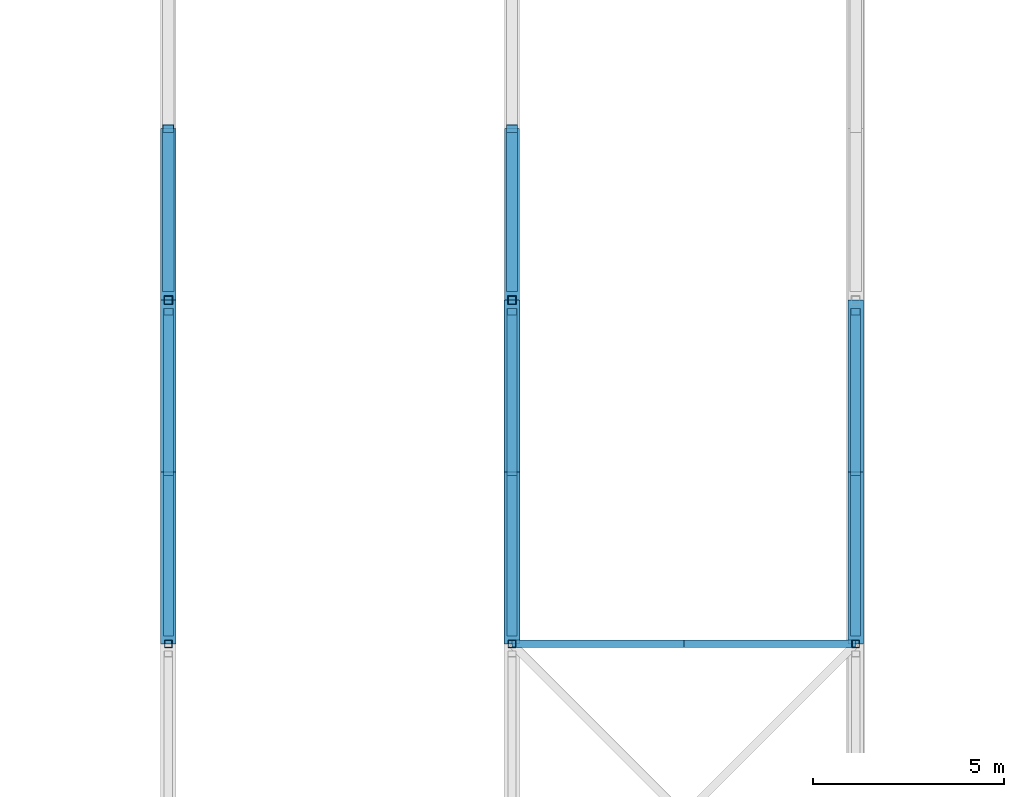
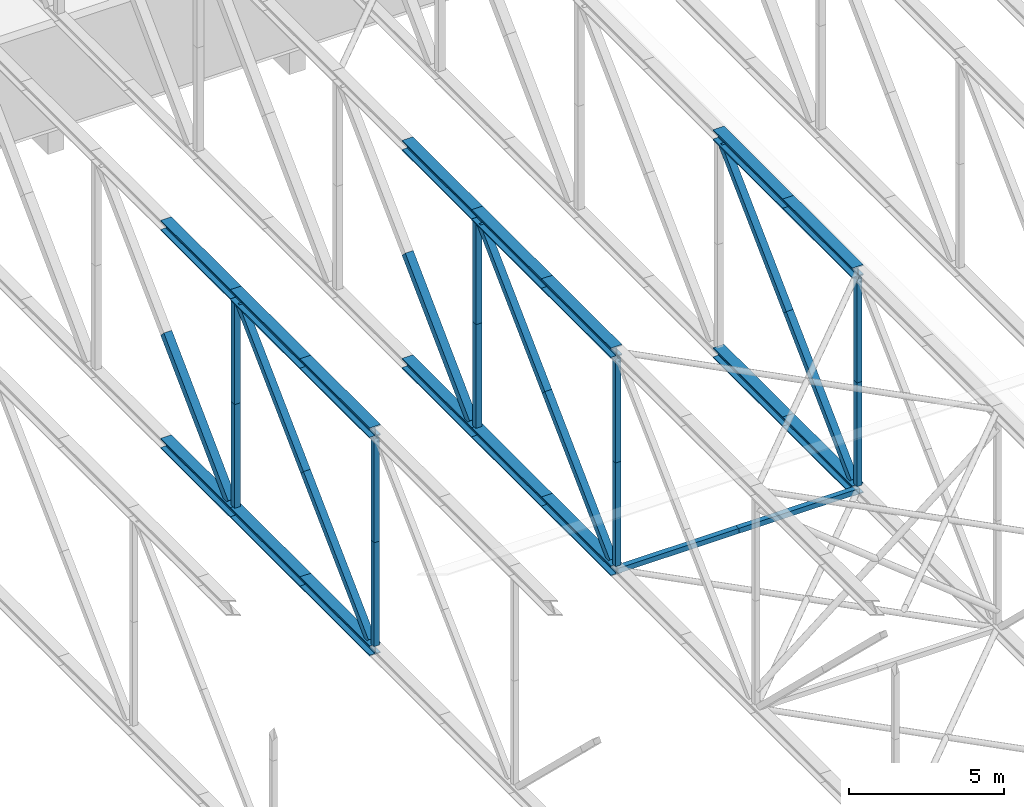
# One storey, part 71 of 646: 36 members.
"""IFC4 building model written with IfcOpenShell, lengths in metres."""

from ifc_helpers import new_model, si_unit, direction, frame, origin, origin_2d, place, context, subcontext, project, spatial, hollow_rectangle, i_section, extrude, material, material_profile, profile_set, type_object, element, save


model = new_model("IFC4")

# Units and contexts
model_context = context("Model", 3, precision=1e-05, world=origin(), true_north=direction((0.0, 1.0)))
body_context = subcontext(model_context, "Body", "Model", "MODEL_VIEW")
ifc_project = project(units=[si_unit("LENGTHUNIT", "METRE"), si_unit("AREAUNIT", "SQUARE_METRE"), si_unit("VOLUMEUNIT", "CUBIC_METRE"), si_unit("PLANEANGLEUNIT", "RADIAN"), si_unit("MASSUNIT", "GRAM", prefix="KILO")], contexts=[model_context])

# Site, building, storey
site_placement = place(None, origin())
site = spatial("IfcSite", under=ifc_project, at=site_placement, CompositionType="ELEMENT")
building_placement = place(site_placement, origin())
building = spatial("IfcBuilding", under=site, at=building_placement, Name="Silverbay Arena", CompositionType="ELEMENT")
storey_placement = place(building_placement, frame((0.0, 0.0, 33.5)))
storey = spatial("IfcBuildingStorey", under=building, at=storey_placement, Name="L05", CompositionType="ELEMENT", Elevation=33.5)

# Members
ifc_material_1 = material(Name="Steel S355", Category="steel")
ifc_material_profile_1 = material_profile(ifc_material_1, hollow_rectangle(XDim=0.199951171875, YDim=0.199951171875, WallThickness=0.008056640625, at=origin_2d()), Name="SHS 200x200x8")
ifc_profile_set_1 = profile_set([ifc_material_profile_1], Name="Steel S355")
member_type_1 = type_object("IfcMemberType", Name="Bracing strut SHS 200x200x8", PredefinedType="STRUT", material=ifc_profile_set_1)
for number, where, z_axis, x_axis, name in (
    (1, (126.0, 90.0, 4.203125), (1.0, 0.0, 0.0), (0.0, 1.0, 0.0), "ROOF BRACING strut 15-16 line 10a"),
    (2, (130.5, 90.0, 4.203125), (1.0, 0.0, 0.0), (0.0, 1.0, 0.0), "ROOF BRACING strut 15-16 line 10b"),
):
    element("IfcMember", number, at=place(storey_placement, frame(where, z_axis=z_axis, x_axis=x_axis)), inside=storey, type_object=member_type_1, Name=name, PredefinedType="STRUT", context=body_context, shape_type="SweptSolid", body=[
        extrude(hollow_rectangle(XDim=0.199951171875, YDim=0.199951171875, WallThickness=0.008056640625, at=origin_2d()), origin(), (0.0, 0.0, 1.0), 4.5),
    ])
ifc_material_2 = material(Name="Steel S355", Category="steel")
ifc_material_profile_2 = material_profile(ifc_material_2, i_section(OverallWidth=0.403076171875, OverallDepth=0.406494140625, WebThickness=0.026611328125, FlangeThickness=0.04296875, at=origin_2d()), Name="UC 356x406x340")
ifc_profile_set_2 = profile_set([ifc_material_profile_2], Name="Steel S355")
member_type_2 = type_object("IfcMemberType", Name="Main-span bottom chord UC 356x406x340", PredefinedType="CHORD", material=ifc_profile_set_2)
for number, where, z_axis, x_axis, name in (
    (3, (117.0, 90.0, 4.203125), (0.0, 1.0, 0.0), (-1.0, 0.0, 0.0), "ROOF TRUSS 14 bottom chord 10a"),
    (4, (117.0, 94.5, 4.203125), (0.0, 1.0, 0.0), (-1.0, 0.0, 0.0), "ROOF TRUSS 14 bottom chord 10b"),
    (5, (117.0, 99.0, 4.203125), (0.0, 1.0, 0.0), (-1.0, 0.0, 0.0), "ROOF TRUSS 14 bottom chord 11a"),
    (6, (126.0, 90.0, 4.203125), (0.0, 1.0, 0.0), (-1.0, 0.0, 0.0), "ROOF TRUSS 15 bottom chord 10a"),
    (7, (126.0, 94.5, 4.203125), (0.0, 1.0, 0.0), (-1.0, 0.0, 0.0), "ROOF TRUSS 15 bottom chord 10b"),
    (8, (126.0, 99.0, 4.203125), (0.0, 1.0, 0.0), (-1.0, 0.0, 0.0), "ROOF TRUSS 15 bottom chord 11a"),
    (9, (135.0, 90.0, 4.203125), (0.0, 1.0, 0.0), (-1.0, 0.0, 0.0), "ROOF TRUSS 16 bottom chord 10a"),
    (10, (135.0, 94.5, 4.203125), (0.0, 1.0, 0.0), (-1.0, 0.0, 0.0), "ROOF TRUSS 16 bottom chord 10b"),
):
    element("IfcMember", number, at=place(storey_placement, frame(where, z_axis=z_axis, x_axis=x_axis)), inside=storey, type_object=member_type_2, Name=name, PredefinedType="CHORD", context=body_context, shape_type="SweptSolid", body=[
        extrude(i_section(OverallWidth=0.403076171875, OverallDepth=0.406494140625, WebThickness=0.026611328125, FlangeThickness=0.04296875, at=origin_2d()), origin(), (0.0, 0.0, 1.0), 4.5),
    ])
ifc_material_3 = material(Name="Steel S355", Category="steel")
ifc_material_profile_3 = material_profile(ifc_material_3, i_section(OverallWidth=0.403076171875, OverallDepth=0.406494140625, WebThickness=0.026611328125, FlangeThickness=0.04296875, at=origin_2d()), Name="UC 356x406x340")
ifc_profile_set_3 = profile_set([ifc_material_profile_3], Name="Steel S355")
member_type_3 = type_object("IfcMemberType", Name="Main-span top chord UC 356x406x340", PredefinedType="CHORD", material=ifc_profile_set_3)
for number, where, z_axis, x_axis, name in (
    (11, (117.0, 99.0, 12.796875), (0.0, 1.0, 0.0), (-1.0, 0.0, 0.0), "ROOF TRUSS 14 top chord 11a"),
    (12, (126.0, 99.0, 12.796875), (0.0, 1.0, 0.0), (-1.0, 0.0, 0.0), "ROOF TRUSS 15 top chord 11a"),
):
    element("IfcMember", number, at=place(storey_placement, frame(where, z_axis=z_axis, x_axis=x_axis)), inside=storey, type_object=member_type_3, Name=name, PredefinedType="CHORD", context=body_context, shape_type="SweptSolid", body=[
        extrude(i_section(OverallWidth=0.403076171875, OverallDepth=0.406494140625, WebThickness=0.026611328125, FlangeThickness=0.04296875, at=origin_2d()), origin(), (0.0, 0.0, 1.0), 4.5),
    ])
ifc_material_4 = material(Name="Steel S355", Category="steel")
ifc_material_profile_4 = material_profile(ifc_material_4, i_section(OverallWidth=0.406982421875, OverallDepth=0.4189453125, WebThickness=0.030517578125, FlangeThickness=0.04931640625, at=origin_2d()), Name="UC 356x406x393")
ifc_profile_set_4 = profile_set([ifc_material_profile_4], Name="Steel S355")
member_type_4 = type_object("IfcMemberType", Name="Main-span top chord UC 356x406x393", PredefinedType="CHORD", material=ifc_profile_set_4)
for number, where, z_axis, x_axis, name in (
    (13, (117.0, 90.0, 12.79052734375), (0.0, 1.0, 0.0), (-1.0, 0.0, 0.0), "ROOF TRUSS 14 top chord 10a"),
    (14, (117.0, 94.5, 12.79052734375), (0.0, 1.0, 0.0), (-1.0, 0.0, 0.0), "ROOF TRUSS 14 top chord 10b"),
    (15, (126.0, 90.0, 12.79052734375), (0.0, 1.0, 0.0), (-1.0, 0.0, 0.0), "ROOF TRUSS 15 top chord 10a"),
    (16, (126.0, 94.5, 12.79052734375), (0.0, 1.0, 0.0), (-1.0, 0.0, 0.0), "ROOF TRUSS 15 top chord 10b"),
    (17, (135.0, 90.0, 12.79052734375), (0.0, 1.0, 0.0), (-1.0, 0.0, 0.0), "ROOF TRUSS 16 top chord 10a"),
    (18, (135.0, 94.5, 12.79052734375), (0.0, 1.0, 0.0), (-1.0, 0.0, 0.0), "ROOF TRUSS 16 top chord 10b"),
):
    element("IfcMember", number, at=place(storey_placement, frame(where, z_axis=z_axis, x_axis=x_axis)), inside=storey, type_object=member_type_4, Name=name, PredefinedType="CHORD", context=body_context, shape_type="SweptSolid", body=[
        extrude(i_section(OverallWidth=0.406982421875, OverallDepth=0.4189453125, WebThickness=0.030517578125, FlangeThickness=0.04931640625, at=origin_2d()), origin(), (0.0, 0.0, 1.0), 4.5),
    ])
ifc_material_5 = material(Name="Steel S355", Category="steel")
ifc_material_profile_5 = material_profile(ifc_material_5, hollow_rectangle(XDim=0.260009765625, YDim=0.260009765625, WallThickness=0.012451171875, at=origin_2d()), Name="SHS 260x260x12.5")
ifc_profile_set_5 = profile_set([ifc_material_profile_5], Name="Steel S355")
member_type_5 = type_object("IfcMemberType", Name="Main-span truss diagonal SHS 260x260x12.5", PredefinedType="BRACE", material=ifc_profile_set_5)
for number, where, z_axis, x_axis, name in (
    (19, (117.0, 98.696533203125, 12.5810546875), (0.0, -0.716765314206, -0.697314480239), (1.0, 0.0, 0.0), "ROOF TRUSS 14 diagonal 10a"),
    (20, (117.0, 94.4951171875, 8.49365234375), (0.0, -0.716806382858, -0.697272263534), (1.0, 0.0, 0.0), "ROOF TRUSS 14 diagonal 10b"),
    (21, (126.0, 98.696533203125, 12.5810546875), (0.0, -0.716765314206, -0.697314480239), (1.0, 0.0, 0.0), "ROOF TRUSS 15 diagonal 10a"),
    (22, (126.0, 94.4951171875, 8.49365234375), (0.0, -0.716806382858, -0.697272263534), (1.0, 0.0, 0.0), "ROOF TRUSS 15 diagonal 10b"),
    (23, (135.0, 98.696533203125, 12.5810546875), (0.0, -0.716765314206, -0.697314480239), (1.0, 0.0, 0.0), "ROOF TRUSS 16 diagonal 10a"),
    (24, (135.0, 94.4951171875, 8.49365234375), (0.0, -0.716806382858, -0.697272263534), (1.0, 0.0, 0.0), "ROOF TRUSS 16 diagonal 10b"),
):
    element("IfcMember", number, at=place(storey_placement, frame(where, z_axis=z_axis, x_axis=x_axis)), inside=storey, type_object=member_type_5, Name=name, PredefinedType="BRACE", context=body_context, shape_type="SweptSolid", body=[
        extrude(hollow_rectangle(XDim=0.260009765625, YDim=0.260009765625, WallThickness=0.012451171875, at=origin_2d()), origin(), (0.0, 0.0, 1.0), 5.861572265625),
    ])
ifc_material_6 = material(Name="Steel S355", Category="steel")
ifc_material_profile_6 = material_profile(ifc_material_6, hollow_rectangle(XDim=0.300048828125, YDim=0.300048828125, WallThickness=0.012451171875, at=origin_2d()), Name="SHS 300x300x12.5")
ifc_profile_set_6 = profile_set([ifc_material_profile_6], Name="Steel S355")
member_type_6 = type_object("IfcMemberType", Name="Main-span truss diagonal SHS 300x300x12.5", PredefinedType="BRACE", material=ifc_profile_set_6)
for number, where, z_axis, x_axis, name in (
    (25, (117.0, 103.492431640625, 8.5), (0.0, -0.71273186468, -0.701436589487), (1.0, 0.0, 0.0), "ROOF TRUSS 14 diagonal 11b"),
    (26, (126.0, 103.492431640625, 8.5), (0.0, -0.71273186468, -0.701436589487), (1.0, 0.0, 0.0), "ROOF TRUSS 15 diagonal 11b"),
):
    element("IfcMember", number, at=place(storey_placement, frame(where, z_axis=z_axis, x_axis=x_axis)), inside=storey, type_object=member_type_6, Name=name, PredefinedType="BRACE", context=body_context, shape_type="SweptSolid", body=[
        extrude(hollow_rectangle(XDim=0.300048828125, YDim=0.300048828125, WallThickness=0.012451171875, at=origin_2d()), origin(), (0.0, 0.0, 1.0), 5.8359375),
    ])
ifc_material_7 = material(Name="Steel S355", Category="steel")
ifc_material_profile_7 = material_profile(ifc_material_7, hollow_rectangle(XDim=0.199951171875, YDim=0.199951171875, WallThickness=0.008056640625, at=origin_2d()), Name="SHS 200x200x8")
ifc_profile_set_7 = profile_set([ifc_material_profile_7], Name="Steel S355")
member_type_7 = type_object("IfcMemberType", Name="Main-span truss vertical SHS 200x200x8", PredefinedType="STRUT", material=ifc_profile_set_7)
member_1_placement = place(storey_placement, frame((117.0, 90.0, 4.406494140625), z_axis=(0.0, 0.0, 1.0), x_axis=(1.0, 0.0, 0.0)))
element("IfcMember", 27, at=member_1_placement, inside=storey, type_object=member_type_7, Name="ROOF TRUSS 14 vertical 10a", PredefinedType="STRUT", context=body_context, shape_type="SweptSolid", body=[
    extrude(hollow_rectangle(XDim=0.199951171875, YDim=0.199951171875, WallThickness=0.008056640625, at=origin_2d()), origin(), (0.0, 0.0, 1.0), 4.087158203125),
])
member_2_placement = place(storey_placement, frame((117.0, 90.0, 8.49365234375), z_axis=(0.0, 0.0, 1.0), x_axis=(1.0, 0.0, 0.0)))
element("IfcMember", 28, at=member_2_placement, inside=storey, type_object=member_type_7, Name="ROOF TRUSS 14 vertical 10b", PredefinedType="STRUT", context=body_context, shape_type="SweptSolid", body=[
    extrude(hollow_rectangle(XDim=0.199951171875, YDim=0.199951171875, WallThickness=0.008056640625, at=origin_2d()), origin(), (0.0, 0.0, 1.0), 4.08740234375),
])
member_3_placement = place(storey_placement, frame((126.0, 90.0, 4.406494140625), z_axis=(0.0, 0.0, 1.0), x_axis=(1.0, 0.0, 0.0)))
element("IfcMember", 29, at=member_3_placement, inside=storey, type_object=member_type_7, Name="ROOF TRUSS 15 vertical 10a", PredefinedType="STRUT", context=body_context, shape_type="SweptSolid", body=[
    extrude(hollow_rectangle(XDim=0.199951171875, YDim=0.199951171875, WallThickness=0.008056640625, at=origin_2d()), origin(), (0.0, 0.0, 1.0), 4.087158203125),
])
member_4_placement = place(storey_placement, frame((126.0, 90.0, 8.49365234375), z_axis=(0.0, 0.0, 1.0), x_axis=(1.0, 0.0, 0.0)))
element("IfcMember", 30, at=member_4_placement, inside=storey, type_object=member_type_7, Name="ROOF TRUSS 15 vertical 10b", PredefinedType="STRUT", context=body_context, shape_type="SweptSolid", body=[
    extrude(hollow_rectangle(XDim=0.199951171875, YDim=0.199951171875, WallThickness=0.008056640625, at=origin_2d()), origin(), (0.0, 0.0, 1.0), 4.08740234375),
])
member_5_placement = place(storey_placement, frame((135.0, 90.0, 4.406494140625), z_axis=(0.0, 0.0, 1.0), x_axis=(1.0, 0.0, 0.0)))
element("IfcMember", 31, at=member_5_placement, inside=storey, type_object=member_type_7, Name="ROOF TRUSS 16 vertical 10a", PredefinedType="STRUT", context=body_context, shape_type="SweptSolid", body=[
    extrude(hollow_rectangle(XDim=0.199951171875, YDim=0.199951171875, WallThickness=0.008056640625, at=origin_2d()), origin(), (0.0, 0.0, 1.0), 4.087158203125),
])
member_6_placement = place(storey_placement, frame((135.0, 90.0, 8.49365234375), z_axis=(0.0, 0.0, 1.0), x_axis=(1.0, 0.0, 0.0)))
element("IfcMember", 32, at=member_6_placement, inside=storey, type_object=member_type_7, Name="ROOF TRUSS 16 vertical 10b", PredefinedType="STRUT", context=body_context, shape_type="SweptSolid", body=[
    extrude(hollow_rectangle(XDim=0.199951171875, YDim=0.199951171875, WallThickness=0.008056640625, at=origin_2d()), origin(), (0.0, 0.0, 1.0), 4.08740234375),
])
ifc_material_8 = material(Name="Steel S355", Category="steel")
ifc_material_profile_8 = material_profile(ifc_material_8, hollow_rectangle(XDim=0.219970703125, YDim=0.219970703125, WallThickness=0.008056640625, at=origin_2d()), Name="SHS 220x220x8")
ifc_profile_set_8 = profile_set([ifc_material_profile_8], Name="Steel S355")
member_type_8 = type_object("IfcMemberType", Name="Main-span truss vertical SHS 220x220x8", PredefinedType="STRUT", material=ifc_profile_set_8)
member_7_placement = place(storey_placement, frame((117.0, 99.0, 4.406494140625), z_axis=(0.0, 0.0, 1.0), x_axis=(1.0, 0.0, 0.0)))
element("IfcMember", 33, at=member_7_placement, inside=storey, type_object=member_type_8, Name="ROOF TRUSS 14 vertical 11a", PredefinedType="STRUT", context=body_context, shape_type="SweptSolid", body=[
    extrude(hollow_rectangle(XDim=0.219970703125, YDim=0.219970703125, WallThickness=0.008056640625, at=origin_2d()), origin(), (0.0, 0.0, 1.0), 4.087158203125),
])
member_8_placement = place(storey_placement, frame((117.0, 99.0, 8.49365234375), z_axis=(0.0, 0.0, 1.0), x_axis=(1.0, 0.0, 0.0)))
element("IfcMember", 34, at=member_8_placement, inside=storey, type_object=member_type_8, Name="ROOF TRUSS 14 vertical 11b", PredefinedType="STRUT", context=body_context, shape_type="SweptSolid", body=[
    extrude(hollow_rectangle(XDim=0.219970703125, YDim=0.219970703125, WallThickness=0.008056640625, at=origin_2d()), origin(), (0.0, 0.0, 1.0), 4.08740234375),
])
member_9_placement = place(storey_placement, frame((126.0, 99.0, 4.406494140625), z_axis=(0.0, 0.0, 1.0), x_axis=(1.0, 0.0, 0.0)))
element("IfcMember", 35, at=member_9_placement, inside=storey, type_object=member_type_8, Name="ROOF TRUSS 15 vertical 11a", PredefinedType="STRUT", context=body_context, shape_type="SweptSolid", body=[
    extrude(hollow_rectangle(XDim=0.219970703125, YDim=0.219970703125, WallThickness=0.008056640625, at=origin_2d()), origin(), (0.0, 0.0, 1.0), 4.087158203125),
])
member_10_placement = place(storey_placement, frame((126.0, 99.0, 8.49365234375), z_axis=(0.0, 0.0, 1.0), x_axis=(1.0, 0.0, 0.0)))
element("IfcMember", 36, at=member_10_placement, inside=storey, type_object=member_type_8, Name="ROOF TRUSS 15 vertical 11b", PredefinedType="STRUT", context=body_context, shape_type="SweptSolid", body=[
    extrude(hollow_rectangle(XDim=0.219970703125, YDim=0.219970703125, WallThickness=0.008056640625, at=origin_2d()), origin(), (0.0, 0.0, 1.0), 4.08740234375),
])

save(model, "model.ifc")
